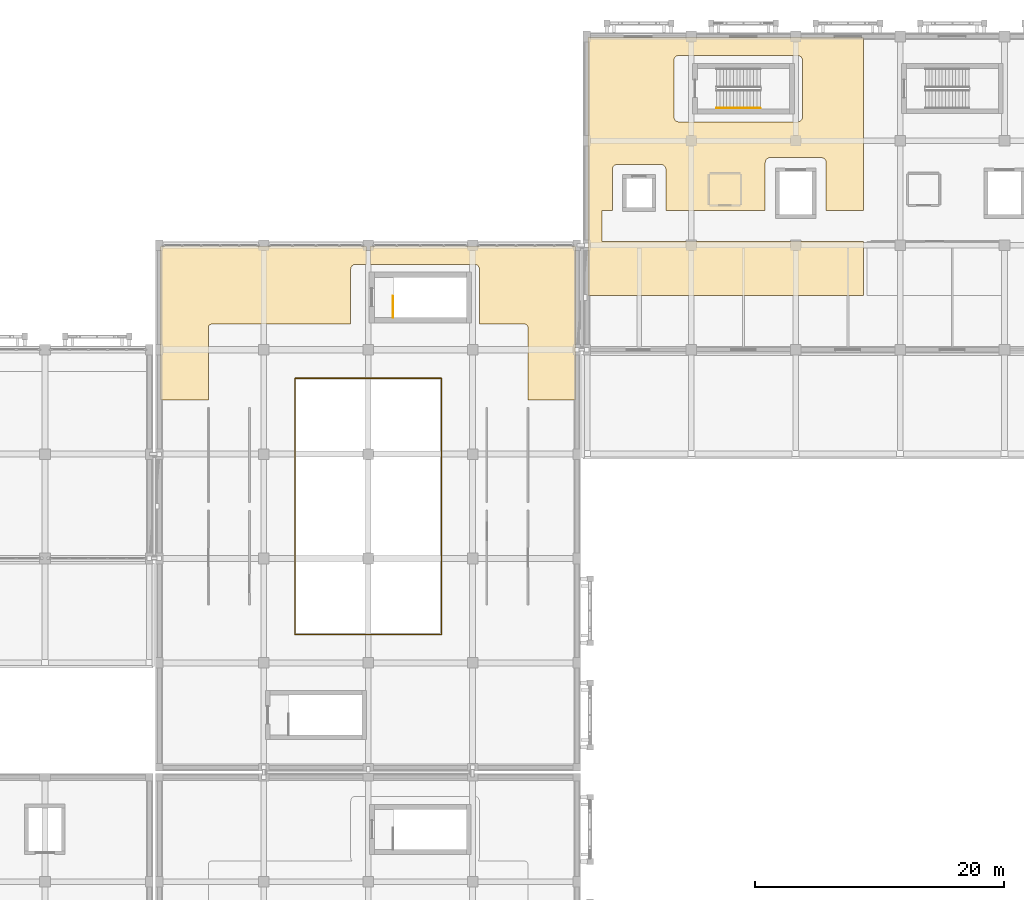
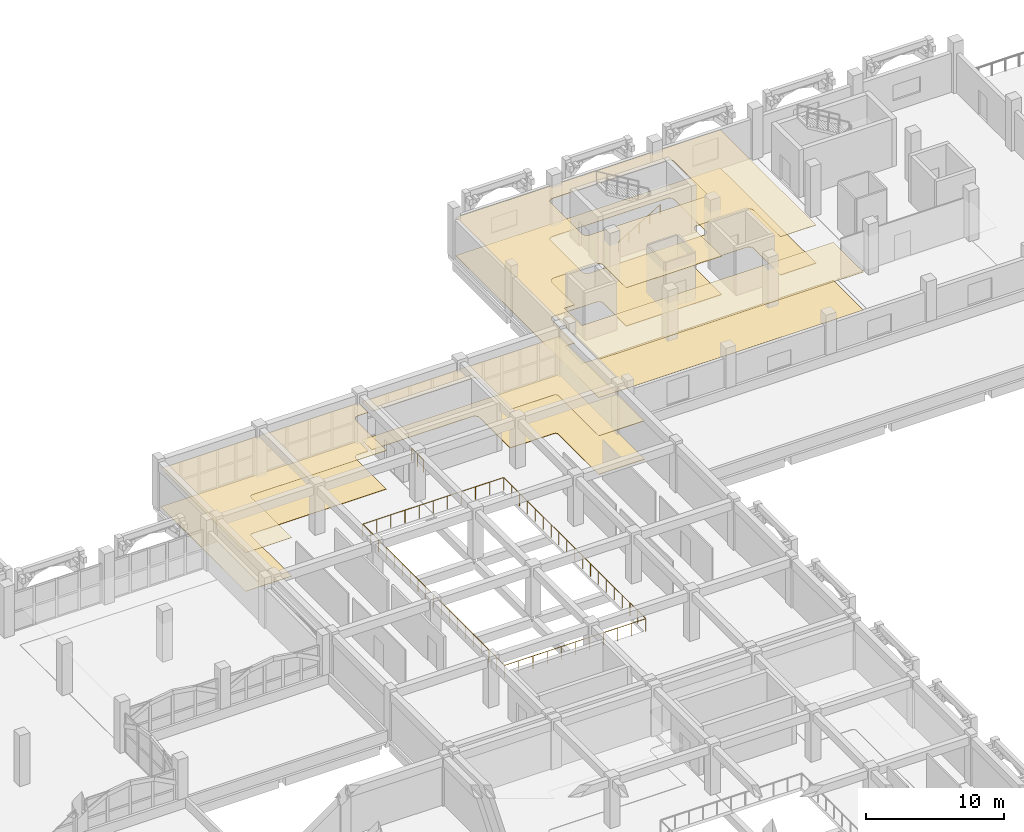
# One storey, part 124 of 129: 6 coverings, 3 railings.
"""IFC4 building model written with IfcOpenShell, lengths in metres."""

import ifcopenshell
import ifcopenshell.guid

model = None  # the IFC model being written
_history = None  # IfcOwnerHistory: only IFC2X3 demands one
_inside = {}  # id of a spatial element -> (the spatial element, [elements in it])
_under = {}  # id of a project, library or spatial element -> (it, [spatial elements below it])
_declared = {}  # id of a project -> (the project, [libraries it declares])
_typed = {}  # id of a type object -> (the type object, [elements of that type])
_made_of = {}  # id of a material, layer set ... -> (it, [elements and type objects made of it])


def new_model(schema):
    """Start an empty IFC model of exactly this schema.

    Asked for "IFC4X3", IfcOpenShell would pick the latest addendum, in which some entities
    have other attributes; the version numbers below select the first issue.
    IFC2X3 requires an IfcOwnerHistory on every rooted entity: one is made here for all.
    """
    global model, _history
    if schema == "IFC4X3":
        model = ifcopenshell.file(schema_version=(4, 3, 0, 0))
    else:
        model = ifcopenshell.file(schema=schema)
    _inside.clear()
    _under.clear()
    _declared.clear()
    _typed.clear()
    _made_of.clear()
    _history = None
    if model.schema == "IFC2X3":
        org = make("IfcOrganization", Name="unknown")
        user = make(
            "IfcPersonAndOrganization",
            ThePerson=make("IfcPerson", FamilyName="unknown"),
            TheOrganization=org,
        )
        app = make(
            "IfcApplication",
            ApplicationDeveloper=org,
            Version="unknown",
            ApplicationFullName="unknown",
            ApplicationIdentifier="unknown",
        )
        _history = make(
            "IfcOwnerHistory",
            OwningUser=user,
            OwningApplication=app,
            ChangeAction="ADDED",
            CreationDate=0,
        )
    return model


def make(cls, **values):
    """One entity of the class cls with the attributes given. An attribute that is None is left unset."""
    return model.create_entity(
        cls, **{name: value for name, value in values.items() if value is not None}
    )


def rooted(cls, **values):
    """An entity with a GlobalId (a new one), such as an element, a storey or a relation."""
    return make(cls, GlobalId=ifcopenshell.guid.new(), OwnerHistory=_history, **values)


def si_unit(unit_type, name, prefix=None):
    """IfcSIUnit, for example si_unit("LENGTHUNIT", "METRE", prefix="MILLI")."""
    return make("IfcSIUnit", UnitType=unit_type, Prefix=prefix, Name=name)


def assignment(units):
    """IfcUnitAssignment: the units of a project."""
    return None if units is None else make("IfcUnitAssignment", Units=units)


def point(xyz):
    """IfcCartesianPoint."""
    return None if xyz is None else make("IfcCartesianPoint", Coordinates=xyz)


def direction(xyz):
    """IfcDirection."""
    return None if xyz is None else make("IfcDirection", DirectionRatios=xyz)


def frame(location, z_axis=None, x_axis=None):
    """IfcAxis2Placement3D, a coordinate frame: its origin and axes. An axis left out is left unset."""
    return make(
        "IfcAxis2Placement3D",
        Location=point(location),
        Axis=direction(z_axis),
        RefDirection=direction(x_axis),
    )


def frame_2d(location, x_axis=None):
    """IfcAxis2Placement2D, a coordinate frame in the plane: its origin and x axis."""
    return make(
        "IfcAxis2Placement2D", Location=point(location), RefDirection=direction(x_axis)
    )


def origin():
    """The frame at (0, 0, 0) with its axes left unset."""
    return frame((0.0, 0.0, 0.0))


def origin_2d():
    """The frame at (0, 0) in the plane with its x axis left unset."""
    return frame_2d((0.0, 0.0))


def place(relative_to, where):
    """IfcLocalPlacement: puts the frame where relative to a parent placement (None: the world)."""
    return make(
        "IfcLocalPlacement", PlacementRelTo=relative_to, RelativePlacement=where
    )


def context(
    kind, dimensions, precision=None, world=None, true_north=None, identifier=None
):
    """IfcGeometricRepresentationContext, for example the 3D "Model" context."""
    return make(
        "IfcGeometricRepresentationContext",
        ContextIdentifier=identifier,
        ContextType=kind,
        CoordinateSpaceDimension=dimensions,
        Precision=precision,
        WorldCoordinateSystem=world,
        TrueNorth=true_north,
    )


def subcontext(parent, identifier, kind, view, scale=None):
    """IfcGeometricRepresentationSubContext, for example "Body" below "Model"."""
    return make(
        "IfcGeometricRepresentationSubContext",
        ContextIdentifier=identifier,
        ContextType=kind,
        ParentContext=parent,
        TargetScale=scale,
        TargetView=view,
    )


def project(units=None, contexts=None):
    """IfcProject with its units and contexts."""
    return rooted(
        "IfcProject",
        Name="project",
        RepresentationContexts=contexts,
        UnitsInContext=assignment(units),
    )


def spatial(cls, under=None, at=None, **own):
    """A site, building, storey or space (cls), placed at a placement, below another one or the project."""
    s = rooted(cls, ObjectPlacement=at, **own)
    if under is not None:
        _under.setdefault(under.id(), (under, []))[1].append(s)
    return s


def polyline(points):
    """IfcPolyline through the points."""
    return make("IfcPolyline", Points=[point(p) for p in points])


def profile(cls, at=None, kind="AREA", **sizes):
    """A parametric profile (cls). Its sizes go by their IFC names, for example OverallWidth=200.0."""
    return make(cls, ProfileType=kind, Position=at, **sizes)


def circle(**sizes):
    """IfcCircleProfileDef."""
    return profile("IfcCircleProfileDef", **sizes)


def outline(outer, holes=None, kind="AREA"):
    """IfcArbitraryClosedProfileDef: a profile drawn as a closed curve; with holes, ...WithVoids."""
    if holes is None:
        return make("IfcArbitraryClosedProfileDef", ProfileType=kind, OuterCurve=outer)
    return make(
        "IfcArbitraryProfileDefWithVoids",
        ProfileType=kind,
        OuterCurve=outer,
        InnerCurves=holes,
    )


def extrude(swept, where, along, depth):
    """IfcExtrudedAreaSolid: the profile swept, set in the frame where, extruded along a direction by depth."""
    return make(
        "IfcExtrudedAreaSolid",
        SweptArea=swept,
        Position=where,
        ExtrudedDirection=direction(along),
        Depth=depth,
    )


def shape(context_of_items, identifier, shape_type, items):
    """IfcShapeRepresentation: the items that make up one representation, for example the "Body"."""
    return make(
        "IfcShapeRepresentation",
        ContextOfItems=context_of_items,
        RepresentationIdentifier=identifier,
        RepresentationType=shape_type,
        Items=items,
    )


def material(Name=None, Category=None):
    """IfcMaterial."""
    return make("IfcMaterial", Name=Name, Category=Category)


def layer(
    of_material, thickness, ventilated=None, Name=None, Category=None, Priority=None
):
    """IfcMaterialLayer: one layer of a wall or slab, of a material (None: an air gap)."""
    return make(
        "IfcMaterialLayer",
        Material=of_material,
        LayerThickness=thickness,
        IsVentilated=ventilated,
        Name=Name,
        Category=Category,
        Priority=Priority,
    )


def layer_set(layers, Name=None):
    """IfcMaterialLayerSet."""
    return make("IfcMaterialLayerSet", MaterialLayers=layers, LayerSetName=Name)


def made_of(thing, what):
    """Note that an element or type object is made of a material, layer set ...; save() writes the relation."""
    if what is not None:
        _made_of.setdefault(what.id(), (what, []))[1].append(thing)
    return thing


def type_object(cls, material=None, **own):
    """A type object (cls), such as IfcWallType, which elements share."""
    return made_of(rooted(cls, **own), material)


def element(
    cls,
    number,
    at=None,
    inside=None,
    cuts=None,
    type_object=None,
    material=None,
    context=None,
    identifier="Body",
    shape_type=None,
    held_by="IfcProductDefinitionShape",
    body=None,
    shapes=None,
    **own,
):
    """One element of the class cls, such as IfcWall. Its Tag is "e" and its number.

    at: its placement. inside: the storey or other place that contains it. cuts: it is an
    opening in that element (IfcRelVoidsElement). A single representation is given by context,
    identifier, shape_type and body (its items); several are given by shapes. held_by: the class
    of the entity that holds the representations. save() writes the other relations.
    """
    e = rooted(cls, Tag="e%d" % number, ObjectPlacement=at, **own)
    if body is not None:
        shapes = [shape(context, identifier, shape_type, body)]
    if shapes is not None:
        e.Representation = make(held_by, Representations=shapes)
    if inside is not None:
        _inside.setdefault(inside.id(), (inside, []))[1].append(e)
    if cuts is not None:
        rooted(
            "IfcRelVoidsElement", RelatingBuildingElement=cuts, RelatedOpeningElement=e
        )
    if type_object is not None:
        _typed.setdefault(type_object.id(), (type_object, []))[1].append(e)
    return made_of(e, material)


def aggregate(whole, parts):
    """IfcRelAggregates: a whole, such as a stair, and the parts it consists of."""
    return rooted("IfcRelAggregates", RelatingObject=whole, RelatedObjects=parts)


def save(model, path):
    """Write the relations noted so far, then the file.

    IfcRelAggregates (storeys below a building ...), IfcRelContainedInSpatialStructure (elements
    in a storey), IfcRelDefinesByType, IfcRelAssociatesMaterial and IfcRelDeclares: one each for
    every whole, place, type object, material and project.
    """
    for whole, parts in _under.values():
        aggregate(whole, parts)
    for where, things in _inside.values():
        rooted(
            "IfcRelContainedInSpatialStructure",
            RelatedElements=things,
            RelatingStructure=where,
        )
    for kind, things in _typed.values():
        rooted("IfcRelDefinesByType", RelatedObjects=things, RelatingType=kind)
    for what, things in _made_of.values():
        rooted("IfcRelAssociatesMaterial", RelatedObjects=things, RelatingMaterial=what)
    for by, libraries in _declared.values():
        rooted("IfcRelDeclares", RelatingContext=by, RelatedDefinitions=libraries)
    model.write(path)


model = new_model("IFC4")

# Units and contexts
model_context = context("Model", 3, precision=1e-05, world=origin(), true_north=direction((0.0, 1.0)))
body_context = subcontext(model_context, "Body", "Model", "MODEL_VIEW")
ifc_project = project(units=[si_unit("LENGTHUNIT", "METRE"), si_unit("AREAUNIT", "SQUARE_METRE"), si_unit("VOLUMEUNIT", "CUBIC_METRE"), si_unit("PLANEANGLEUNIT", "RADIAN"), si_unit("MASSUNIT", "GRAM", prefix="KILO")], contexts=[model_context])

# Site, building, storey
site_placement = place(None, origin())
site = spatial("IfcSite", under=ifc_project, at=site_placement, CompositionType="ELEMENT")
building_placement = place(site_placement, origin())
building = spatial("IfcBuilding", under=site, at=building_placement, Name="Xazarin Passage Department Store", CompositionType="ELEMENT")
storey_placement = place(building_placement, frame((0.0, 0.0, 9.89990234375)))
storey = spatial("IfcBuildingStorey", under=building, at=storey_placement, Name="L02", CompositionType="ELEMENT", Elevation=9.89990234375)

# Coverings
ifc_material_1 = material(Name="Acoustic mineral ceiling")
ifc_layer_1 = layer(ifc_material_1, 0.030029296875)
ifc_layer_set_1 = layer_set([ifc_layer_1], Name="Acoustic mineral ceiling")
covering_type_1 = type_object("IfcCoveringType", Name="ARC-COV-CLG030", PredefinedType="CEILING", material=ifc_layer_set_1)
covering_1_placement = place(storey_placement, frame((0.0, 0.0, 3.41015625)))
element("IfcCovering", 1, at=covering_1_placement, inside=storey, type_object=covering_type_1, Name="L02 Fragrance Atelier Acoustic Ceiling", PredefinedType="CEILING", context=body_context, shape_type="SweptSolid", body=[
    extrude(outline(polyline([(83.39990234375, 86.85009765625), (83.39990234375, 91.27001953125), (83.40185546875, 91.30908203125), (83.40771484375, 91.347900390625), (83.417236328125, 91.385986328125), (83.430419921875, 91.423095703125), (83.447265625, 91.45849609375), (83.46728515625, 91.4921875), (83.49072265625, 91.523681640625), (83.51708984375, 91.552734375), (83.546142578125, 91.5791015625), (83.577880859375, 91.6025390625), (83.611328125, 91.622802734375), (83.64697265625, 91.6396484375), (83.683837890625, 91.65283203125), (83.721923828125, 91.662353515625), (83.7607421875, 91.668212890625), (83.800048828125, 91.669921875), (84.64990234375, 91.669921875), (84.64990234375, 93.10009765625), (68.10009765625, 93.10009765625), (68.10009765625, 80.75), (71.949951171875, 80.75), (71.949951171875, 86.60009765625), (71.951171875, 86.62451171875), (71.954833984375, 86.648681640625), (71.960693359375, 86.672607421875), (71.968994140625, 86.69580078125), (71.9794921875, 86.7177734375), (71.9921875, 86.739013671875), (72.006591796875, 86.758544921875), (72.023193359375, 86.77685546875), (72.04150390625, 86.793212890625), (72.06103515625, 86.807861328125), (72.082275390625, 86.820556640625), (72.104248046875, 86.8310546875), (72.12744140625, 86.839111328125), (72.151123046875, 86.84521484375), (72.175537109375, 86.848876953125), (72.199951171875, 86.85009765625), (83.39990234375, 86.85009765625)])), origin(), (0.0, 0.0, 1.0), 0.030029296875),
])
covering_2_placement = place(storey_placement, frame((0.0, 0.0, 3.3701171875)))
element("IfcCovering", 2, at=covering_2_placement, inside=storey, type_object=covering_type_1, Name="L02 Cold Stockroom Acoustic Ceiling", PredefinedType="CEILING", context=body_context, shape_type="SweptSolid", body=[
    extrude(outline(polyline([(104.449951171875, 96.0), (104.449951171875, 99.300048828125), (104.451904296875, 99.339111328125), (104.457763671875, 99.3779296875), (104.46728515625, 99.416015625), (104.48046875, 99.453125), (104.497314453125, 99.488525390625), (104.517333984375, 99.522216796875), (104.540771484375, 99.5537109375), (104.567138671875, 99.582763671875), (104.59619140625, 99.609130859375), (104.627685546875, 99.632568359375), (104.661376953125, 99.65283203125), (104.697021484375, 99.669677734375), (104.73388671875, 99.682861328125), (104.77197265625, 99.6923828125), (104.810791015625, 99.697998046875), (104.85009765625, 99.699951171875), (108.35009765625, 99.699951171875), (108.38916015625, 99.697998046875), (108.427978515625, 99.6923828125), (108.466064453125, 99.682861328125), (108.503173828125, 99.669677734375), (108.53857421875, 99.65283203125), (108.572265625, 99.632568359375), (108.603759765625, 99.609130859375), (108.6328125, 99.582763671875), (108.6591796875, 99.5537109375), (108.6826171875, 99.522216796875), (108.702880859375, 99.488525390625), (108.719482421875, 99.453125), (108.73291015625, 99.416015625), (108.7421875, 99.3779296875), (108.748046875, 99.339111328125), (108.75, 99.300048828125), (108.75, 96.0), (116.75, 96.0), (116.75, 99.85009765625), (116.751953125, 99.88916015625), (116.7578125, 99.927978515625), (116.76708984375, 99.966064453125), (116.780517578125, 100.003173828125), (116.797119140625, 100.03857421875), (116.8173828125, 100.072265625), (116.8408203125, 100.103759765625), (116.8671875, 100.1328125), (116.896240234375, 100.1591796875), (116.927734375, 100.1826171875), (116.96142578125, 100.202880859375), (116.996826171875, 100.219482421875), (117.033935546875, 100.23291015625), (117.072021484375, 100.2421875), (117.11083984375, 100.248046875), (117.14990234375, 100.25), (121.25, 100.25), (121.289306640625, 100.248046875), (121.327880859375, 100.2421875), (121.3662109375, 100.23291015625), (121.403076171875, 100.219482421875), (121.438720703125, 100.202880859375), (121.47216796875, 100.1826171875), (121.50390625, 100.1591796875), (121.53271484375, 100.1328125), (121.55908203125, 100.103759765625), (121.58251953125, 100.072265625), (121.602783203125, 100.03857421875), (121.61962890625, 100.003173828125), (121.6328125, 99.966064453125), (121.642333984375, 99.927978515625), (121.648193359375, 99.88916015625), (121.64990234375, 99.85009765625), (121.64990234375, 96.0), (124.64990234375, 96.0), (124.64990234375, 109.89990234375), (102.5, 109.89990234375), (102.5, 89.14990234375), (124.64990234375, 89.14990234375), (124.64990234375, 93.5), (103.60009765625, 93.5), (103.60009765625, 96.0), (104.449951171875, 96.0)]), holes=[polyline([(109.800048828125, 103.1298828125), (109.7607421875, 103.1318359375), (109.721923828125, 103.1376953125), (109.683837890625, 103.147216796875), (109.64697265625, 103.160400390625), (109.611328125, 103.17724609375), (109.577880859375, 103.197509765625), (109.546142578125, 103.220703125), (109.51708984375, 103.247314453125), (109.49072265625, 103.276123046875), (109.46728515625, 103.307861328125), (109.447265625, 103.34130859375), (109.430419921875, 103.376953125), (109.417236328125, 103.413818359375), (109.40771484375, 103.451904296875), (109.40185546875, 103.49072265625), (109.39990234375, 103.530029296875), (109.39990234375, 108.070068359375), (109.40185546875, 108.109130859375), (109.40771484375, 108.14794921875), (109.417236328125, 108.18603515625), (109.430419921875, 108.22314453125), (109.447265625, 108.258544921875), (109.46728515625, 108.292236328125), (109.49072265625, 108.32373046875), (109.51708984375, 108.352783203125), (109.546142578125, 108.379150390625), (109.577880859375, 108.402587890625), (109.611328125, 108.4228515625), (109.64697265625, 108.439697265625), (109.683837890625, 108.452880859375), (109.721923828125, 108.46240234375), (109.7607421875, 108.468017578125), (109.800048828125, 108.469970703125), (119.35009765625, 108.469970703125), (119.38916015625, 108.468017578125), (119.427978515625, 108.46240234375), (119.466064453125, 108.452880859375), (119.503173828125, 108.439697265625), (119.53857421875, 108.4228515625), (119.572265625, 108.402587890625), (119.603759765625, 108.379150390625), (119.6328125, 108.352783203125), (119.6591796875, 108.32373046875), (119.6826171875, 108.292236328125), (119.702880859375, 108.258544921875), (119.719482421875, 108.22314453125), (119.73291015625, 108.18603515625), (119.7421875, 108.14794921875), (119.748046875, 108.109130859375), (119.75, 108.070068359375), (119.75, 103.530029296875), (119.748046875, 103.49072265625), (119.7421875, 103.451904296875), (119.73291015625, 103.413818359375), (119.719482421875, 103.376953125), (119.702880859375, 103.34130859375), (119.6826171875, 103.307861328125), (119.6591796875, 103.276123046875), (119.6328125, 103.247314453125), (119.603759765625, 103.220703125), (119.572265625, 103.197509765625), (119.53857421875, 103.17724609375), (119.503173828125, 103.160400390625), (119.466064453125, 103.147216796875), (119.427978515625, 103.1376953125), (119.38916015625, 103.1318359375), (119.35009765625, 103.1298828125), (109.800048828125, 103.1298828125)])]), origin(), (0.0, 0.0, 1.0), 0.030029296875),
])
ifc_layer_2 = layer(ifc_material_1, 0.0400390625)
ifc_layer_set_2 = layer_set([ifc_layer_2], Name="Acoustic mineral ceiling")
covering_type_2 = type_object("IfcCoveringType", Name="ARC-COV-CLG040", PredefinedType="CEILING", material=ifc_layer_set_2)
covering_3_placement = place(storey_placement, frame((0.0, 0.0, 3.400146484375)))
element("IfcCovering", 3, at=covering_3_placement, inside=storey, type_object=covering_type_2, Name="L02 Millinery and Scarf Salon Acoustic Ceiling", PredefinedType="CEILING", context=body_context, shape_type="SweptSolid", body=[
    extrude(outline(polyline([(84.949951171875, 91.669921875), (93.35009765625, 91.669921875), (93.38916015625, 91.668212890625), (93.427978515625, 91.662353515625), (93.466064453125, 91.65283203125), (93.503173828125, 91.6396484375), (93.53857421875, 91.622802734375), (93.572265625, 91.6025390625), (93.603759765625, 91.5791015625), (93.6328125, 91.552734375), (93.6591796875, 91.523681640625), (93.6826171875, 91.4921875), (93.702880859375, 91.45849609375), (93.719482421875, 91.423095703125), (93.73291015625, 91.385986328125), (93.7421875, 91.347900390625), (93.748046875, 91.30908203125), (93.75, 91.27001953125), (93.75, 86.85009765625), (97.39990234375, 86.85009765625), (97.424560546875, 86.848876953125), (97.44873046875, 86.84521484375), (97.47265625, 86.839111328125), (97.49560546875, 86.8310546875), (97.517822265625, 86.820556640625), (97.538818359375, 86.807861328125), (97.55859375, 86.793212890625), (97.576904296875, 86.77685546875), (97.59326171875, 86.758544921875), (97.60791015625, 86.739013671875), (97.62060546875, 86.7177734375), (97.631103515625, 86.69580078125), (97.63916015625, 86.672607421875), (97.645263671875, 86.648681640625), (97.648681640625, 86.62451171875), (97.64990234375, 86.60009765625), (97.64990234375, 80.75), (101.5, 80.75), (101.5, 93.10009765625), (84.949951171875, 93.10009765625), (84.949951171875, 91.669921875)])), origin(), (0.0, 0.0, 1.0), 0.0400390625),
])
ifc_material_2 = material(Name="Terrazzo stone flooring", Category="masonry")
ifc_layer_3 = layer(ifc_material_2, 0.02490234375)
ifc_layer_set_3 = layer_set([ifc_layer_3], Name="Terrazzo stone flooring")
covering_type_3 = type_object("IfcCoveringType", Name="ARC-COV-FLR025", PredefinedType="FLOORING", material=ifc_layer_set_3)
covering_4_placement = place(storey_placement, origin())
element("IfcCovering", 4, at=covering_4_placement, inside=storey, type_object=covering_type_3, Name="L02 Fragrance Atelier Terrazzo Flooring", PredefinedType="FLOORING", context=body_context, shape_type="SweptSolid", body=[
    extrude(outline(polyline([(83.39990234375, 86.85009765625), (83.39990234375, 91.27001953125), (83.40185546875, 91.30908203125), (83.40771484375, 91.347900390625), (83.417236328125, 91.385986328125), (83.430419921875, 91.423095703125), (83.447265625, 91.45849609375), (83.46728515625, 91.4921875), (83.49072265625, 91.523681640625), (83.51708984375, 91.552734375), (83.546142578125, 91.5791015625), (83.577880859375, 91.6025390625), (83.611328125, 91.622802734375), (83.64697265625, 91.6396484375), (83.683837890625, 91.65283203125), (83.721923828125, 91.662353515625), (83.7607421875, 91.668212890625), (83.800048828125, 91.669921875), (84.64990234375, 91.669921875), (84.64990234375, 93.10009765625), (68.10009765625, 93.10009765625), (68.10009765625, 80.75), (71.949951171875, 80.75), (71.949951171875, 86.60009765625), (71.951171875, 86.62451171875), (71.954833984375, 86.648681640625), (71.960693359375, 86.672607421875), (71.968994140625, 86.69580078125), (71.9794921875, 86.7177734375), (71.9921875, 86.739013671875), (72.006591796875, 86.758544921875), (72.023193359375, 86.77685546875), (72.04150390625, 86.793212890625), (72.06103515625, 86.807861328125), (72.082275390625, 86.820556640625), (72.104248046875, 86.8310546875), (72.12744140625, 86.839111328125), (72.151123046875, 86.84521484375), (72.175537109375, 86.848876953125), (72.199951171875, 86.85009765625), (83.39990234375, 86.85009765625)])), origin(), (0.0, 0.0, 1.0), 0.025146484375),
])
covering_5_placement = place(storey_placement, origin())
element("IfcCovering", 5, at=covering_5_placement, inside=storey, type_object=covering_type_3, Name="L02 Cold Stockroom Terrazzo Flooring", PredefinedType="FLOORING", context=body_context, shape_type="SweptSolid", body=[
    extrude(outline(polyline([(104.449951171875, 96.0), (104.449951171875, 99.300048828125), (104.451904296875, 99.339111328125), (104.457763671875, 99.3779296875), (104.46728515625, 99.416015625), (104.48046875, 99.453125), (104.497314453125, 99.488525390625), (104.517333984375, 99.522216796875), (104.540771484375, 99.5537109375), (104.567138671875, 99.582763671875), (104.59619140625, 99.609130859375), (104.627685546875, 99.632568359375), (104.661376953125, 99.65283203125), (104.697021484375, 99.669677734375), (104.73388671875, 99.682861328125), (104.77197265625, 99.6923828125), (104.810791015625, 99.697998046875), (104.85009765625, 99.699951171875), (108.35009765625, 99.699951171875), (108.38916015625, 99.697998046875), (108.427978515625, 99.6923828125), (108.466064453125, 99.682861328125), (108.503173828125, 99.669677734375), (108.53857421875, 99.65283203125), (108.572265625, 99.632568359375), (108.603759765625, 99.609130859375), (108.6328125, 99.582763671875), (108.6591796875, 99.5537109375), (108.6826171875, 99.522216796875), (108.702880859375, 99.488525390625), (108.719482421875, 99.453125), (108.73291015625, 99.416015625), (108.7421875, 99.3779296875), (108.748046875, 99.339111328125), (108.75, 99.300048828125), (108.75, 96.0), (116.75, 96.0), (116.75, 99.85009765625), (116.751953125, 99.88916015625), (116.7578125, 99.927978515625), (116.76708984375, 99.966064453125), (116.780517578125, 100.003173828125), (116.797119140625, 100.03857421875), (116.8173828125, 100.072265625), (116.8408203125, 100.103759765625), (116.8671875, 100.1328125), (116.896240234375, 100.1591796875), (116.927734375, 100.1826171875), (116.96142578125, 100.202880859375), (116.996826171875, 100.219482421875), (117.033935546875, 100.23291015625), (117.072021484375, 100.2421875), (117.11083984375, 100.248046875), (117.14990234375, 100.25), (121.25, 100.25), (121.289306640625, 100.248046875), (121.327880859375, 100.2421875), (121.3662109375, 100.23291015625), (121.403076171875, 100.219482421875), (121.438720703125, 100.202880859375), (121.47216796875, 100.1826171875), (121.50390625, 100.1591796875), (121.53271484375, 100.1328125), (121.55908203125, 100.103759765625), (121.58251953125, 100.072265625), (121.602783203125, 100.03857421875), (121.61962890625, 100.003173828125), (121.6328125, 99.966064453125), (121.642333984375, 99.927978515625), (121.648193359375, 99.88916015625), (121.64990234375, 99.85009765625), (121.64990234375, 96.0), (124.64990234375, 96.0), (124.64990234375, 109.89990234375), (102.5, 109.89990234375), (102.5, 89.14990234375), (124.64990234375, 89.14990234375), (124.64990234375, 93.5), (103.60009765625, 93.5), (103.60009765625, 96.0), (104.449951171875, 96.0)]), holes=[polyline([(109.800048828125, 103.1298828125), (109.7607421875, 103.1318359375), (109.721923828125, 103.1376953125), (109.683837890625, 103.147216796875), (109.64697265625, 103.160400390625), (109.611328125, 103.17724609375), (109.577880859375, 103.197509765625), (109.546142578125, 103.220703125), (109.51708984375, 103.247314453125), (109.49072265625, 103.276123046875), (109.46728515625, 103.307861328125), (109.447265625, 103.34130859375), (109.430419921875, 103.376953125), (109.417236328125, 103.413818359375), (109.40771484375, 103.451904296875), (109.40185546875, 103.49072265625), (109.39990234375, 103.530029296875), (109.39990234375, 108.070068359375), (109.40185546875, 108.109130859375), (109.40771484375, 108.14794921875), (109.417236328125, 108.18603515625), (109.430419921875, 108.22314453125), (109.447265625, 108.258544921875), (109.46728515625, 108.292236328125), (109.49072265625, 108.32373046875), (109.51708984375, 108.352783203125), (109.546142578125, 108.379150390625), (109.577880859375, 108.402587890625), (109.611328125, 108.4228515625), (109.64697265625, 108.439697265625), (109.683837890625, 108.452880859375), (109.721923828125, 108.46240234375), (109.7607421875, 108.468017578125), (109.800048828125, 108.469970703125), (119.35009765625, 108.469970703125), (119.38916015625, 108.468017578125), (119.427978515625, 108.46240234375), (119.466064453125, 108.452880859375), (119.503173828125, 108.439697265625), (119.53857421875, 108.4228515625), (119.572265625, 108.402587890625), (119.603759765625, 108.379150390625), (119.6328125, 108.352783203125), (119.6591796875, 108.32373046875), (119.6826171875, 108.292236328125), (119.702880859375, 108.258544921875), (119.719482421875, 108.22314453125), (119.73291015625, 108.18603515625), (119.7421875, 108.14794921875), (119.748046875, 108.109130859375), (119.75, 108.070068359375), (119.75, 103.530029296875), (119.748046875, 103.49072265625), (119.7421875, 103.451904296875), (119.73291015625, 103.413818359375), (119.719482421875, 103.376953125), (119.702880859375, 103.34130859375), (119.6826171875, 103.307861328125), (119.6591796875, 103.276123046875), (119.6328125, 103.247314453125), (119.603759765625, 103.220703125), (119.572265625, 103.197509765625), (119.53857421875, 103.17724609375), (119.503173828125, 103.160400390625), (119.466064453125, 103.147216796875), (119.427978515625, 103.1376953125), (119.38916015625, 103.1318359375), (119.35009765625, 103.1298828125), (109.800048828125, 103.1298828125)])]), origin(), (0.0, 0.0, 1.0), 0.025146484375),
])
ifc_layer_4 = layer(ifc_material_2, 0.034912109375)
ifc_layer_set_4 = layer_set([ifc_layer_4], Name="Terrazzo stone flooring")
covering_type_4 = type_object("IfcCoveringType", Name="ARC-COV-FLR035", PredefinedType="FLOORING", material=ifc_layer_set_4)
covering_6_placement = place(storey_placement, origin())
element("IfcCovering", 6, at=covering_6_placement, inside=storey, type_object=covering_type_4, Name="L02 Millinery and Scarf Salon Terrazzo Flooring", PredefinedType="FLOORING", context=body_context, shape_type="SweptSolid", body=[
    extrude(outline(polyline([(84.949951171875, 91.669921875), (93.35009765625, 91.669921875), (93.38916015625, 91.668212890625), (93.427978515625, 91.662353515625), (93.466064453125, 91.65283203125), (93.503173828125, 91.6396484375), (93.53857421875, 91.622802734375), (93.572265625, 91.6025390625), (93.603759765625, 91.5791015625), (93.6328125, 91.552734375), (93.6591796875, 91.523681640625), (93.6826171875, 91.4921875), (93.702880859375, 91.45849609375), (93.719482421875, 91.423095703125), (93.73291015625, 91.385986328125), (93.7421875, 91.347900390625), (93.748046875, 91.30908203125), (93.75, 91.27001953125), (93.75, 86.85009765625), (97.39990234375, 86.85009765625), (97.424560546875, 86.848876953125), (97.44873046875, 86.84521484375), (97.47265625, 86.839111328125), (97.49560546875, 86.8310546875), (97.517822265625, 86.820556640625), (97.538818359375, 86.807861328125), (97.55859375, 86.793212890625), (97.576904296875, 86.77685546875), (97.59326171875, 86.758544921875), (97.60791015625, 86.739013671875), (97.62060546875, 86.7177734375), (97.631103515625, 86.69580078125), (97.63916015625, 86.672607421875), (97.645263671875, 86.648681640625), (97.648681640625, 86.62451171875), (97.64990234375, 86.60009765625), (97.64990234375, 80.75), (101.5, 80.75), (101.5, 93.10009765625), (84.949951171875, 93.10009765625), (84.949951171875, 91.669921875)])), origin(), (0.0, 0.0, 1.0), 0.03515625),
])

# Railings
ifc_material_3 = material(Name="Low-E laminated safety glass", Category="glass")
railing_type_1 = type_object("IfcRailingType", Name="ARC-RL-BAL115", PredefinedType="BALUSTRADE", material=ifc_material_3)
railing_1_placement = place(storey_placement, frame((78.89990234375, 61.89990234375, 0.0)))
element("IfcRailing", 7, at=railing_1_placement, inside=storey, type_object=railing_type_1, Name="L02 Void Edge Balustrade 0007", PredefinedType="BALUSTRADE", context=body_context, shape_type="SweptSolid", body=[
    extrude(circle(Radius=0.02392578125, at=origin_2d()), frame((0.03125, 0.0, 1.1259765625), z_axis=(1.0, 0.0, 0.0), x_axis=(0.0, 1.0, 0.0)), (0.0, 0.0, 1.0), 11.737548828125),
    extrude(circle(Radius=0.02392578125, at=origin_2d()), frame((11.800048828125, 0.03125, 1.1259765625), z_axis=(0.0, 1.0, 0.0), x_axis=(-1.0, 0.0, 0.0)), (0.0, 0.0, 1.0), 20.53759765625),
    extrude(circle(Radius=0.02392578125, at=origin_2d()), frame((11.768798828125, 20.60009765625, 1.1259765625), z_axis=(-1.0, 0.0, 0.0), x_axis=(0.0, -1.0, 0.0)), (0.0, 0.0, 1.0), 11.737548828125),
    extrude(circle(Radius=0.02392578125, at=origin_2d()), frame((0.0, 20.56884765625, 1.1259765625), z_axis=(0.0, -1.0, 0.0), x_axis=(1.0, 0.0, 0.0)), (0.0, 0.0, 1.0), 20.53759765625),
    extrude(circle(Radius=0.02099609375, at=origin_2d()), origin(), (0.0, 0.0, 1.0), 1.1015625),
    extrude(circle(Radius=0.02099609375, at=origin_2d()), frame((1.179931640625, 0.0, 0.0)), (0.0, 0.0, 1.0), 1.1015625),
    extrude(circle(Radius=0.02099609375, at=origin_2d()), frame((2.360107421875, 0.0, 0.0)), (0.0, 0.0, 1.0), 1.1015625),
    extrude(circle(Radius=0.02099609375, at=origin_2d()), frame((3.5400390625, 0.0, 0.0)), (0.0, 0.0, 1.0), 1.1015625),
    extrude(circle(Radius=0.02099609375, at=origin_2d()), frame((4.719970703125, 0.0, 0.0)), (0.0, 0.0, 1.0), 1.1015625),
    extrude(circle(Radius=0.02099609375, at=origin_2d()), frame((5.89990234375, 0.0, 0.0)), (0.0, 0.0, 1.0), 1.1015625),
    extrude(circle(Radius=0.02099609375, at=origin_2d()), frame((7.080078125, 0.0, 0.0)), (0.0, 0.0, 1.0), 1.1015625),
    extrude(circle(Radius=0.02099609375, at=origin_2d()), frame((8.260009765625, 0.0, 0.0)), (0.0, 0.0, 1.0), 1.1015625),
    extrude(circle(Radius=0.02099609375, at=origin_2d()), frame((9.43994140625, 0.0, 0.0)), (0.0, 0.0, 1.0), 1.1015625),
    extrude(circle(Radius=0.02099609375, at=origin_2d()), frame((10.6201171875, 0.0, 0.0)), (0.0, 0.0, 1.0), 1.1015625),
    extrude(circle(Radius=0.02099609375, at=origin_2d()), frame((11.800048828125, 0.0, 0.0)), (0.0, 0.0, 1.0), 1.1015625),
    extrude(circle(Radius=0.02099609375, at=origin_2d()), frame((11.800048828125, 1.14453125, 0.0)), (0.0, 0.0, 1.0), 1.1015625),
    extrude(circle(Radius=0.02099609375, at=origin_2d()), frame((11.800048828125, 2.288818359375, 0.0)), (0.0, 0.0, 1.0), 1.1015625),
    extrude(circle(Radius=0.02099609375, at=origin_2d()), frame((11.800048828125, 3.433349609375, 0.0)), (0.0, 0.0, 1.0), 1.1015625),
    extrude(circle(Radius=0.02099609375, at=origin_2d()), frame((11.800048828125, 4.577880859375, 0.0)), (0.0, 0.0, 1.0), 1.1015625),
    extrude(circle(Radius=0.02099609375, at=origin_2d()), frame((11.800048828125, 5.72216796875, 0.0)), (0.0, 0.0, 1.0), 1.1015625),
    extrude(circle(Radius=0.02099609375, at=origin_2d()), frame((11.800048828125, 6.86669921875, 0.0)), (0.0, 0.0, 1.0), 1.1015625),
    extrude(circle(Radius=0.02099609375, at=origin_2d()), frame((11.800048828125, 8.01123046875, 0.0)), (0.0, 0.0, 1.0), 1.1015625),
    extrude(circle(Radius=0.02099609375, at=origin_2d()), frame((11.800048828125, 9.155517578125, 0.0)), (0.0, 0.0, 1.0), 1.1015625),
    extrude(circle(Radius=0.02099609375, at=origin_2d()), frame((11.800048828125, 10.300048828125, 0.0)), (0.0, 0.0, 1.0), 1.1015625),
    extrude(circle(Radius=0.02099609375, at=origin_2d()), frame((11.800048828125, 11.444580078125, 0.0)), (0.0, 0.0, 1.0), 1.1015625),
    extrude(circle(Radius=0.02099609375, at=origin_2d()), frame((11.800048828125, 12.5888671875, 0.0)), (0.0, 0.0, 1.0), 1.1015625),
    extrude(circle(Radius=0.02099609375, at=origin_2d()), frame((11.800048828125, 13.7333984375, 0.0)), (0.0, 0.0, 1.0), 1.1015625),
    extrude(circle(Radius=0.02099609375, at=origin_2d()), frame((11.800048828125, 14.8779296875, 0.0)), (0.0, 0.0, 1.0), 1.1015625),
    extrude(circle(Radius=0.02099609375, at=origin_2d()), frame((11.800048828125, 16.022216796875, 0.0)), (0.0, 0.0, 1.0), 1.1015625),
    extrude(circle(Radius=0.02099609375, at=origin_2d()), frame((11.800048828125, 17.166748046875, 0.0)), (0.0, 0.0, 1.0), 1.1015625),
    extrude(circle(Radius=0.02099609375, at=origin_2d()), frame((11.800048828125, 18.311279296875, 0.0)), (0.0, 0.0, 1.0), 1.1015625),
    extrude(circle(Radius=0.02099609375, at=origin_2d()), frame((11.800048828125, 19.45556640625, 0.0)), (0.0, 0.0, 1.0), 1.1015625),
    extrude(circle(Radius=0.02099609375, at=origin_2d()), frame((11.800048828125, 20.60009765625, 0.0)), (0.0, 0.0, 1.0), 1.1015625),
    extrude(circle(Radius=0.02099609375, at=origin_2d()), frame((10.6201171875, 20.60009765625, 0.0)), (0.0, 0.0, 1.0), 1.1015625),
    extrude(circle(Radius=0.02099609375, at=origin_2d()), frame((9.43994140625, 20.60009765625, 0.0)), (0.0, 0.0, 1.0), 1.1015625),
    extrude(circle(Radius=0.02099609375, at=origin_2d()), frame((8.260009765625, 20.60009765625, 0.0)), (0.0, 0.0, 1.0), 1.1015625),
    extrude(circle(Radius=0.02099609375, at=origin_2d()), frame((7.080078125, 20.60009765625, 0.0)), (0.0, 0.0, 1.0), 1.1015625),
    extrude(circle(Radius=0.02099609375, at=origin_2d()), frame((5.89990234375, 20.60009765625, 0.0)), (0.0, 0.0, 1.0), 1.1015625),
    extrude(circle(Radius=0.02099609375, at=origin_2d()), frame((4.719970703125, 20.60009765625, 0.0)), (0.0, 0.0, 1.0), 1.1015625),
    extrude(circle(Radius=0.02099609375, at=origin_2d()), frame((3.5400390625, 20.60009765625, 0.0)), (0.0, 0.0, 1.0), 1.1015625),
    extrude(circle(Radius=0.02099609375, at=origin_2d()), frame((2.360107421875, 20.60009765625, 0.0)), (0.0, 0.0, 1.0), 1.1015625),
    extrude(circle(Radius=0.02099609375, at=origin_2d()), frame((1.179931640625, 20.60009765625, 0.0)), (0.0, 0.0, 1.0), 1.1015625),
    extrude(circle(Radius=0.02099609375, at=origin_2d()), frame((0.0, 20.60009765625, 0.0)), (0.0, 0.0, 1.0), 1.1015625),
    extrude(circle(Radius=0.02099609375, at=origin_2d()), frame((0.0, 19.45556640625, 0.0)), (0.0, 0.0, 1.0), 1.1015625),
    extrude(circle(Radius=0.02099609375, at=origin_2d()), frame((0.0, 18.311279296875, 0.0)), (0.0, 0.0, 1.0), 1.1015625),
    extrude(circle(Radius=0.02099609375, at=origin_2d()), frame((0.0, 17.166748046875, 0.0)), (0.0, 0.0, 1.0), 1.1015625),
    extrude(circle(Radius=0.02099609375, at=origin_2d()), frame((0.0, 16.022216796875, 0.0)), (0.0, 0.0, 1.0), 1.1015625),
    extrude(circle(Radius=0.02099609375, at=origin_2d()), frame((0.0, 14.8779296875, 0.0)), (0.0, 0.0, 1.0), 1.1015625),
    extrude(circle(Radius=0.02099609375, at=origin_2d()), frame((0.0, 13.7333984375, 0.0)), (0.0, 0.0, 1.0), 1.1015625),
    extrude(circle(Radius=0.02099609375, at=origin_2d()), frame((0.0, 12.5888671875, 0.0)), (0.0, 0.0, 1.0), 1.1015625),
    extrude(circle(Radius=0.02099609375, at=origin_2d()), frame((0.0, 11.444580078125, 0.0)), (0.0, 0.0, 1.0), 1.1015625),
    extrude(circle(Radius=0.02099609375, at=origin_2d()), frame((0.0, 10.300048828125, 0.0)), (0.0, 0.0, 1.0), 1.1015625),
    extrude(circle(Radius=0.02099609375, at=origin_2d()), frame((0.0, 9.155517578125, 0.0)), (0.0, 0.0, 1.0), 1.1015625),
    extrude(circle(Radius=0.02099609375, at=origin_2d()), frame((0.0, 8.01123046875, 0.0)), (0.0, 0.0, 1.0), 1.1015625),
    extrude(circle(Radius=0.02099609375, at=origin_2d()), frame((0.0, 6.86669921875, 0.0)), (0.0, 0.0, 1.0), 1.1015625),
    extrude(circle(Radius=0.02099609375, at=origin_2d()), frame((0.0, 5.72216796875, 0.0)), (0.0, 0.0, 1.0), 1.1015625),
    extrude(circle(Radius=0.02099609375, at=origin_2d()), frame((0.0, 4.577880859375, 0.0)), (0.0, 0.0, 1.0), 1.1015625),
    extrude(circle(Radius=0.02099609375, at=origin_2d()), frame((0.0, 3.433349609375, 0.0)), (0.0, 0.0, 1.0), 1.1015625),
    extrude(circle(Radius=0.02099609375, at=origin_2d()), frame((0.0, 2.288818359375, 0.0)), (0.0, 0.0, 1.0), 1.1015625),
    extrude(circle(Radius=0.02099609375, at=origin_2d()), frame((0.0, 1.14453125, 0.0)), (0.0, 0.0, 1.0), 1.1015625),
])
ifc_material_4 = material(Name="Steel S355", Category="steel")
railing_type_2 = type_object("IfcRailingType", Name="ARC-RL-GRD112", PredefinedType="GUARDRAIL", material=ifc_material_4)
railing_2_placement = place(storey_placement, frame((86.7900390625, 87.3798828125, 0.0)))
element("IfcRailing", 8, at=railing_2_placement, inside=storey, type_object=railing_type_2, Name="L02 ST7 top well guard 1", PredefinedType="GUARDRAIL", context=body_context, shape_type="SweptSolid", body=[
    extrude(circle(Radius=0.02392578125, at=origin_2d()), frame((0.0, 0.0, 1.076171875), z_axis=(0.0, 1.0, 0.0), x_axis=(-1.0, 0.0, 0.0)), (0.0, 0.0, 1.0), 1.72021484375),
    extrude(circle(Radius=0.02099609375, at=origin_2d()), origin(), (0.0, 0.0, 1.0), 1.0517578125),
    extrude(circle(Radius=0.02099609375, at=origin_2d()), frame((0.0, 0.860107421875, 0.0)), (0.0, 0.0, 1.0), 1.0517578125),
    extrude(circle(Radius=0.02099609375, at=origin_2d()), frame((0.0, 1.72021484375, 0.0)), (0.0, 0.0, 1.0), 1.0517578125),
])
railing_type_3 = type_object("IfcRailingType", Name="ARC-RL-HND090", PredefinedType="HANDRAIL", material=ifc_material_4)
railing_3_placement = place(storey_placement, frame((112.840087890625, 104.22998046875, 0.160888671875)))
element("IfcRailing", 9, at=railing_3_placement, inside=storey, type_object=railing_type_3, Name="L02 ST10 stair handrail 1", PredefinedType="HANDRAIL", context=body_context, shape_type="SweptSolid", body=[
    extrude(circle(Radius=0.02392578125, at=origin_2d()), frame((0.0, 0.0, 0.8759765625), z_axis=(0.859312273368, 0.0, 0.511451284914), x_axis=(0.0, 1.0, 0.0)), (0.0, 0.0, 1.0), 4.084716796875),
    extrude(circle(Radius=0.02099609375, at=origin_2d()), origin(), (0.0, 0.0, 1.0), 0.8515625),
    extrude(circle(Radius=0.02099609375, at=origin_2d()), frame((0.87744140625, 0.0, 0.522216796875)), (0.0, 0.0, 1.0), 0.8515625),
    extrude(circle(Radius=0.02099609375, at=origin_2d()), frame((1.7548828125, 0.0, 1.04443359375)), (0.0, 0.0, 1.0), 0.8515625),
    extrude(circle(Radius=0.02099609375, at=origin_2d()), frame((2.632568359375, 0.0, 1.56689453125)), (0.0, 0.0, 1.0), 0.8515625),
    extrude(circle(Radius=0.02099609375, at=origin_2d()), frame((3.510009765625, 0.0, 2.089111328125)), (0.0, 0.0, 1.0), 0.8515625),
])

save(model, "model.ifc")
